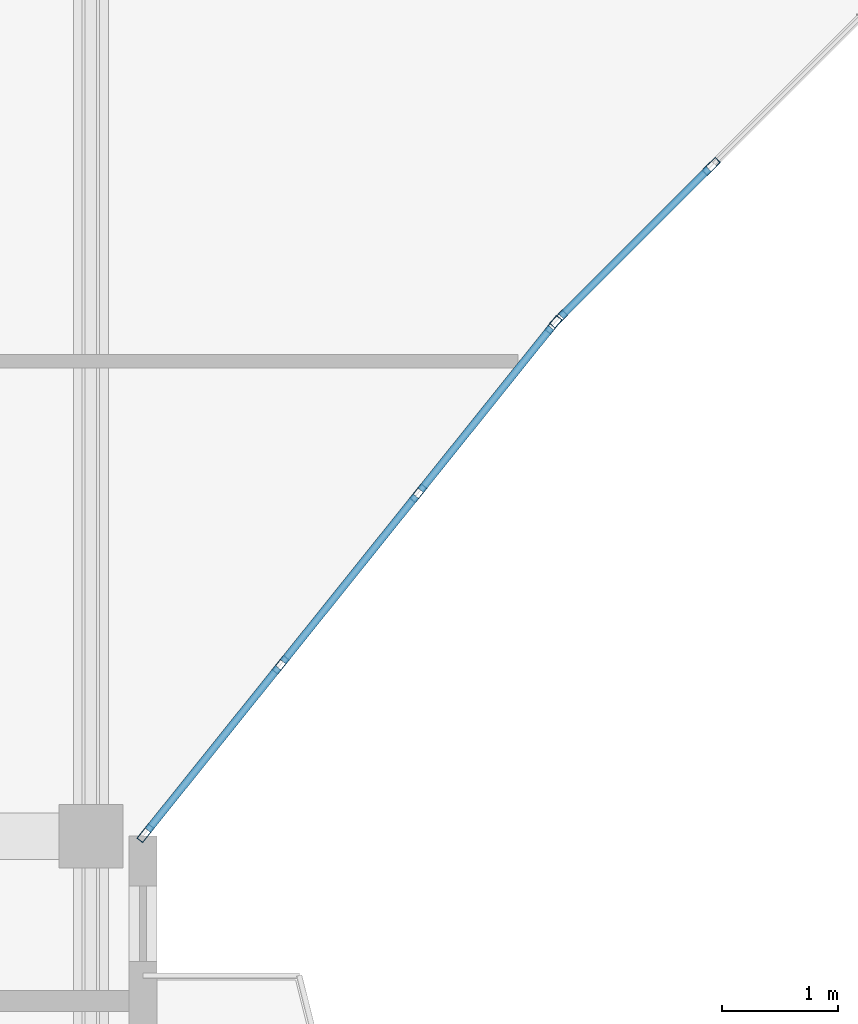
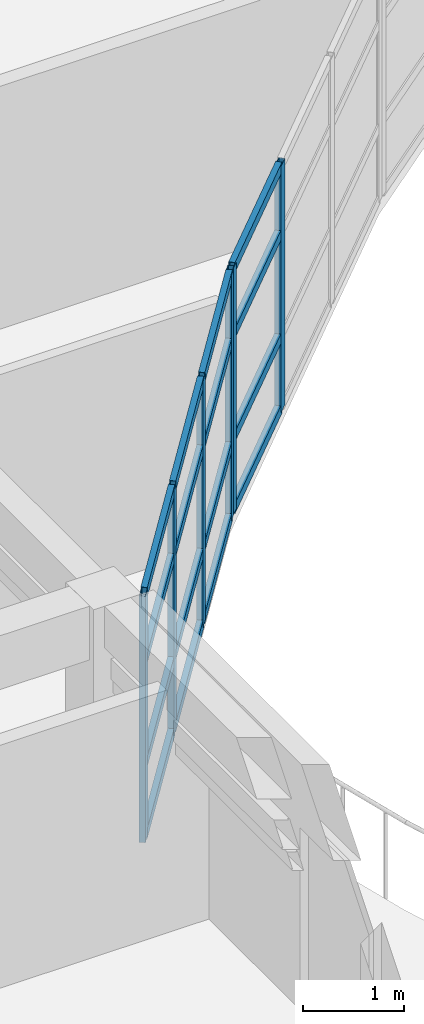
# One storey, part 6 of 54: 22 members, 2 elements without a shape of their own.
"""IFC4 building model written with IfcOpenShell, lengths in metres."""

from ifc_helpers import new_model, si_unit, direction, frame, origin, origin_2d, place, context, subcontext, project, spatial, hollow_rectangle, extrude, material, layer, layer_set, material_profile, profile_set, type_object, element, aggregate, save


model = new_model("IFC4")

# Units and contexts
model_context = context("Model", 3, precision=1e-05, world=origin(), true_north=direction((0.0, 1.0)))
body_context = subcontext(model_context, "Body", "Model", "MODEL_VIEW")
ifc_project = project(units=[si_unit("LENGTHUNIT", "METRE"), si_unit("AREAUNIT", "SQUARE_METRE"), si_unit("VOLUMEUNIT", "CUBIC_METRE"), si_unit("PLANEANGLEUNIT", "RADIAN"), si_unit("MASSUNIT", "GRAM", prefix="KILO")], contexts=[model_context])

# Site, building, storey
site_placement = place(None, origin())
site = spatial("IfcSite", under=ifc_project, at=site_placement, CompositionType="ELEMENT")
building_placement = place(site_placement, origin())
building = spatial("IfcBuilding", under=site, at=building_placement, Name="Keldmere Railside Commons", CompositionType="ELEMENT")
storey_placement = place(building_placement, frame((0.0, 0.0, 26.56005859375)))
storey = spatial("IfcBuildingStorey", under=building, at=storey_placement, Name="L08", CompositionType="ELEMENT", Elevation=26.56005859375)

# Curtain wall, members
ifc_material = material(Name="Thermally Broken Aluminium", Category="aluminium")
ifc_layer_1 = layer(ifc_material, 0.159912109375, Name="Court Chord Wintergarden CW 4800x2850")
ifc_layer_set_1 = layer_set([ifc_layer_1], Name="Thermally Broken Aluminium")
curtain_wall_type_1 = type_object("IfcCurtainWallType", Name="Court Chord Wintergarden CW 4800x2850", PredefinedType="NOTDEFINED", material=ifc_layer_set_1)
curtain_wall_1_placement = place(storey_placement, origin())
curtain_wall_1 = element("IfcCurtainWall", 1, at=curtain_wall_1_placement, inside=storey, type_object=curtain_wall_type_1, Name="CW-12 CW-L08-073", PredefinedType="NOTDEFINED")
ifc_material_profile_1 = material_profile(ifc_material, hollow_rectangle(XDim=0.06494140625, YDim=0.159912109375, WallThickness=0.00390625, at=origin_2d()), Name="ALU-MULL-65x160")
ifc_profile_set_1 = profile_set([ifc_material_profile_1], Name="Thermally Broken Aluminium")
member_type_1 = type_object("IfcMemberType", Name="Unitised Curtain Wall Mullion 65x160", PredefinedType="MULLION", material=ifc_profile_set_1)
member_1_placement = place(storey_placement, frame((67.53369140625, 92.404541015625, 0.0), z_axis=(0.0, 0.0, 1.0), x_axis=(0.780009172323, -0.625768080915, 0.0)))
member_1 = element("IfcMember", 2, at=member_1_placement, type_object=member_type_1, Name="CW-12 mullion 1", PredefinedType="MULLION", context=body_context, shape_type="SweptSolid", body=[
    extrude(hollow_rectangle(XDim=0.06494140625, YDim=0.159912109375, WallThickness=0.00390625, at=origin_2d()), origin(), (0.0, 0.0, 1.0), 2.97998046875),
])
member_2_placement = place(storey_placement, frame((66.369384765625, 90.953369140625, 0.0), z_axis=(0.0, 0.0, 1.0), x_axis=(0.780009172323, -0.625768080915, 0.0)))
member_2 = element("IfcMember", 3, at=member_2_placement, type_object=member_type_1, Name="CW-12 mullion 2", PredefinedType="MULLION", context=body_context, shape_type="SweptSolid", body=[
    extrude(hollow_rectangle(XDim=0.06494140625, YDim=0.159912109375, WallThickness=0.00390625, at=origin_2d()), origin(), (0.0, 0.0, 1.0), 2.97998046875),
])
member_3_placement = place(storey_placement, frame((65.1845703125, 89.4765625, 0.0), z_axis=(0.0, 0.0, 1.0), x_axis=(0.780009172323, -0.625768080915, 0.0)))
member_3 = element("IfcMember", 4, at=member_3_placement, type_object=member_type_1, Name="CW-12 mullion 3", PredefinedType="MULLION", context=body_context, shape_type="SweptSolid", body=[
    extrude(hollow_rectangle(XDim=0.06494140625, YDim=0.159912109375, WallThickness=0.00390625, at=origin_2d()), origin(), (0.0, 0.0, 1.0), 2.97998046875),
])
member_4_placement = place(storey_placement, frame((64.020263671875, 88.025390625, 0.0), z_axis=(0.0, 0.0, 1.0), x_axis=(0.780009172323, -0.625768080915, 0.0)))
member_4 = element("IfcMember", 5, at=member_4_placement, type_object=member_type_1, Name="CW-12 mullion 4", PredefinedType="MULLION", context=body_context, shape_type="SweptSolid", body=[
    extrude(hollow_rectangle(XDim=0.06494140625, YDim=0.159912109375, WallThickness=0.00390625, at=origin_2d()), origin(), (0.0, 0.0, 1.0), 2.97998046875),
])

ifc_layer_2 = layer(ifc_material, 0.159912109375, Name="Court Chord Wintergarden CW 5400x2850")
ifc_layer_set_2 = layer_set([ifc_layer_2], Name="Thermally Broken Aluminium")
curtain_wall_type_2 = type_object("IfcCurtainWallType", Name="Court Chord Wintergarden CW 5400x2850", PredefinedType="NOTDEFINED", material=ifc_layer_set_2)
curtain_wall_2_placement = place(storey_placement, origin())
curtain_wall_2 = element("IfcCurtainWall", 6, at=curtain_wall_2_placement, inside=storey, type_object=curtain_wall_type_2, Name="CW-13 CW-L08-074", PredefinedType="NOTDEFINED")
member_5_placement = place(storey_placement, frame((68.892578125, 93.7685546875, 0.0), z_axis=(0.0, 0.0, 1.0), x_axis=(0.707106781187, -0.707106781187, 0.0)))
member_5 = element("IfcMember", 7, at=member_5_placement, type_object=member_type_1, Name="CW-13 mullion 3", PredefinedType="MULLION", context=body_context, shape_type="SweptSolid", body=[
    extrude(hollow_rectangle(XDim=0.06494140625, YDim=0.159912109375, WallThickness=0.00390625, at=origin_2d()), origin(), (0.0, 0.0, 1.0), 2.97998046875),
])
member_6_placement = place(storey_placement, frame((67.576904296875, 92.452880859375, 0.0), z_axis=(0.0, 0.0, 1.0), x_axis=(0.707106781187, -0.707106781187, 0.0)))
member_6 = element("IfcMember", 8, at=member_6_placement, type_object=member_type_1, Name="CW-13 mullion 4", PredefinedType="MULLION", context=body_context, shape_type="SweptSolid", body=[
    extrude(hollow_rectangle(XDim=0.06494140625, YDim=0.159912109375, WallThickness=0.00390625, at=origin_2d()), origin(), (0.0, 0.0, 1.0), 2.97998046875),
])

# Member
ifc_material_profile_2 = material_profile(ifc_material, hollow_rectangle(XDim=0.06494140625, YDim=0.1201171875, WallThickness=0.00390625, at=origin_2d()), Name="ALU-TRAN-65x120")
ifc_profile_set_2 = profile_set([ifc_material_profile_2], Name="Thermally Broken Aluminium")
member_type_2 = type_object("IfcMemberType", Name="Unitised Curtain Wall Transom 65x120", PredefinedType="USERDEFINED", material=ifc_profile_set_2)
member_7_placement = place(storey_placement, frame((67.513427734375, 92.37939453125, 0.032470703125), z_axis=(-0.625805275091, -0.779979331565, 0.0), x_axis=(0.779979331565, -0.625805275091, 0.0)))
member_7 = element("IfcMember", 9, at=member_7_placement, type_object=member_type_2, Name="CW-12 transom 1.1", ObjectType="TRANSOM", PredefinedType="USERDEFINED", context=body_context, shape_type="SweptSolid", body=[
    extrude(hollow_rectangle(XDim=0.06494140625, YDim=0.1201171875, WallThickness=0.00390625, at=origin_2d()), origin(), (0.0, 0.0, 1.0), 1.795654296875),
])

member_8_placement = place(storey_placement, frame((67.513427734375, 92.37939453125, 0.89990234375), z_axis=(-0.625805275091, -0.779979331565, 0.0), x_axis=(0.779979331565, -0.625805275091, 0.0)))
member_8 = element("IfcMember", 10, at=member_8_placement, type_object=member_type_2, Name="CW-12 transom 1.2", ObjectType="TRANSOM", PredefinedType="USERDEFINED", context=body_context, shape_type="SweptSolid", body=[
    extrude(hollow_rectangle(XDim=0.06494140625, YDim=0.1201171875, WallThickness=0.00390625, at=origin_2d()), origin(), (0.0, 0.0, 1.0), 1.795654296875),
])

member_9_placement = place(storey_placement, frame((67.513427734375, 92.37939453125, 2.14990234375), z_axis=(-0.625805275091, -0.779979331565, 0.0), x_axis=(0.779979331565, -0.625805275091, 0.0)))
member_9 = element("IfcMember", 11, at=member_9_placement, type_object=member_type_2, Name="CW-12 transom 1.3", ObjectType="TRANSOM", PredefinedType="USERDEFINED", context=body_context, shape_type="SweptSolid", body=[
    extrude(hollow_rectangle(XDim=0.06494140625, YDim=0.1201171875, WallThickness=0.00390625, at=origin_2d()), origin(), (0.0, 0.0, 1.0), 1.795654296875),
])

member_10_placement = place(storey_placement, frame((67.513427734375, 92.37939453125, 2.947509765625), z_axis=(-0.625805275091, -0.779979331565, 0.0), x_axis=(0.779979331565, -0.625805275091, 0.0)))
member_10 = element("IfcMember", 12, at=member_10_placement, type_object=member_type_2, Name="CW-12 transom 1.4", ObjectType="TRANSOM", PredefinedType="USERDEFINED", context=body_context, shape_type="SweptSolid", body=[
    extrude(hollow_rectangle(XDim=0.06494140625, YDim=0.1201171875, WallThickness=0.00390625, at=origin_2d()), origin(), (0.0, 0.0, 1.0), 1.795654296875),
])

member_11_placement = place(storey_placement, frame((66.348876953125, 90.927978515625, 0.032470703125), z_axis=(-0.625688033635, -0.78007338409, 0.0), x_axis=(0.78007338409, -0.625688033635, 0.0)))
member_11 = element("IfcMember", 13, at=member_11_placement, type_object=member_type_2, Name="CW-12 transom 2.1", ObjectType="TRANSOM", PredefinedType="USERDEFINED", context=body_context, shape_type="SweptSolid", body=[
    extrude(hollow_rectangle(XDim=0.06494140625, YDim=0.1201171875, WallThickness=0.00390625, at=origin_2d()), origin(), (0.0, 0.0, 1.0), 1.828125),
])

member_12_placement = place(storey_placement, frame((66.348876953125, 90.927978515625, 0.89990234375), z_axis=(-0.625688033635, -0.78007338409, 0.0), x_axis=(0.78007338409, -0.625688033635, 0.0)))
member_12 = element("IfcMember", 14, at=member_12_placement, type_object=member_type_2, Name="CW-12 transom 2.2", ObjectType="TRANSOM", PredefinedType="USERDEFINED", context=body_context, shape_type="SweptSolid", body=[
    extrude(hollow_rectangle(XDim=0.06494140625, YDim=0.1201171875, WallThickness=0.00390625, at=origin_2d()), origin(), (0.0, 0.0, 1.0), 1.828125),
])

member_13_placement = place(storey_placement, frame((66.348876953125, 90.927978515625, 2.14990234375), z_axis=(-0.625688033635, -0.78007338409, 0.0), x_axis=(0.78007338409, -0.625688033635, 0.0)))
member_13 = element("IfcMember", 15, at=member_13_placement, type_object=member_type_2, Name="CW-12 transom 2.3", ObjectType="TRANSOM", PredefinedType="USERDEFINED", context=body_context, shape_type="SweptSolid", body=[
    extrude(hollow_rectangle(XDim=0.06494140625, YDim=0.1201171875, WallThickness=0.00390625, at=origin_2d()), origin(), (0.0, 0.0, 1.0), 1.828125),
])

member_14_placement = place(storey_placement, frame((66.348876953125, 90.927978515625, 2.947509765625), z_axis=(-0.625688033635, -0.78007338409, 0.0), x_axis=(0.78007338409, -0.625688033635, 0.0)))
member_14 = element("IfcMember", 16, at=member_14_placement, type_object=member_type_2, Name="CW-12 transom 2.4", ObjectType="TRANSOM", PredefinedType="USERDEFINED", context=body_context, shape_type="SweptSolid", body=[
    extrude(hollow_rectangle(XDim=0.06494140625, YDim=0.1201171875, WallThickness=0.00390625, at=origin_2d()), origin(), (0.0, 0.0, 1.0), 1.828125),
])

member_15_placement = place(storey_placement, frame((65.164306640625, 89.451416015625, 0.032470703125), z_axis=(-0.625722553313, -0.780045694992, 0.0), x_axis=(0.780045694992, -0.625722553313, 0.0)))
member_15 = element("IfcMember", 17, at=member_15_placement, type_object=member_type_2, Name="CW-12 transom 3.1", ObjectType="TRANSOM", PredefinedType="USERDEFINED", context=body_context, shape_type="SweptSolid", body=[
    extrude(hollow_rectangle(XDim=0.06494140625, YDim=0.1201171875, WallThickness=0.00390625, at=origin_2d()), origin(), (0.0, 0.0, 1.0), 1.795654296875),
])

member_16_placement = place(storey_placement, frame((65.164306640625, 89.451416015625, 0.89990234375), z_axis=(-0.625722553313, -0.780045694992, 0.0), x_axis=(0.780045694992, -0.625722553313, 0.0)))
member_16 = element("IfcMember", 18, at=member_16_placement, type_object=member_type_2, Name="CW-12 transom 3.2", ObjectType="TRANSOM", PredefinedType="USERDEFINED", context=body_context, shape_type="SweptSolid", body=[
    extrude(hollow_rectangle(XDim=0.06494140625, YDim=0.1201171875, WallThickness=0.00390625, at=origin_2d()), origin(), (0.0, 0.0, 1.0), 1.795654296875),
])

member_17_placement = place(storey_placement, frame((65.164306640625, 89.451416015625, 2.14990234375), z_axis=(-0.625722553313, -0.780045694992, 0.0), x_axis=(0.780045694992, -0.625722553313, 0.0)))
member_17 = element("IfcMember", 19, at=member_17_placement, type_object=member_type_2, Name="CW-12 transom 3.3", ObjectType="TRANSOM", PredefinedType="USERDEFINED", context=body_context, shape_type="SweptSolid", body=[
    extrude(hollow_rectangle(XDim=0.06494140625, YDim=0.1201171875, WallThickness=0.00390625, at=origin_2d()), origin(), (0.0, 0.0, 1.0), 1.795654296875),
])

member_18_placement = place(storey_placement, frame((65.164306640625, 89.451416015625, 2.947509765625), z_axis=(-0.625722553313, -0.780045694992, 0.0), x_axis=(0.780045694992, -0.625722553313, 0.0)))
member_18 = element("IfcMember", 20, at=member_18_placement, type_object=member_type_2, Name="CW-12 transom 3.4", ObjectType="TRANSOM", PredefinedType="USERDEFINED", context=body_context, shape_type="SweptSolid", body=[
    extrude(hollow_rectangle(XDim=0.06494140625, YDim=0.1201171875, WallThickness=0.00390625, at=origin_2d()), origin(), (0.0, 0.0, 1.0), 1.795654296875),
])

aggregate(curtain_wall_1, [member_1, member_2, member_3, member_4, member_7, member_8, member_9, member_10, member_11, member_12, member_13, member_14, member_15, member_16, member_17, member_18])

member_19_placement = place(storey_placement, frame((68.86962890625, 93.74560546875, 0.032470703125), z_axis=(-0.707174762418, -0.707038793419, 0.0), x_axis=(0.707038793419, -0.707174762418, 0.0)))
member_19 = element("IfcMember", 21, at=member_19_placement, type_object=member_type_2, Name="CW-13 transom 3.1", ObjectType="TRANSOM", PredefinedType="USERDEFINED", context=body_context, shape_type="SweptSolid", body=[
    extrude(hollow_rectangle(XDim=0.06494140625, YDim=0.1201171875, WallThickness=0.00390625, at=origin_2d()), origin(), (0.0, 0.0, 1.0), 1.795654296875),
])

member_20_placement = place(storey_placement, frame((68.86962890625, 93.74560546875, 0.89990234375), z_axis=(-0.707174762418, -0.707038793419, 0.0), x_axis=(0.707038793419, -0.707174762418, 0.0)))
member_20 = element("IfcMember", 22, at=member_20_placement, type_object=member_type_2, Name="CW-13 transom 3.2", ObjectType="TRANSOM", PredefinedType="USERDEFINED", context=body_context, shape_type="SweptSolid", body=[
    extrude(hollow_rectangle(XDim=0.06494140625, YDim=0.1201171875, WallThickness=0.00390625, at=origin_2d()), origin(), (0.0, 0.0, 1.0), 1.795654296875),
])

member_21_placement = place(storey_placement, frame((68.86962890625, 93.74560546875, 2.14990234375), z_axis=(-0.707174762418, -0.707038793419, 0.0), x_axis=(0.707038793419, -0.707174762418, 0.0)))
member_21 = element("IfcMember", 23, at=member_21_placement, type_object=member_type_2, Name="CW-13 transom 3.3", ObjectType="TRANSOM", PredefinedType="USERDEFINED", context=body_context, shape_type="SweptSolid", body=[
    extrude(hollow_rectangle(XDim=0.06494140625, YDim=0.1201171875, WallThickness=0.00390625, at=origin_2d()), origin(), (0.0, 0.0, 1.0), 1.795654296875),
])

member_22_placement = place(storey_placement, frame((68.86962890625, 93.74560546875, 2.947509765625), z_axis=(-0.707174762418, -0.707038793419, 0.0), x_axis=(0.707038793419, -0.707174762418, 0.0)))
member_22 = element("IfcMember", 24, at=member_22_placement, type_object=member_type_2, Name="CW-13 transom 3.4", ObjectType="TRANSOM", PredefinedType="USERDEFINED", context=body_context, shape_type="SweptSolid", body=[
    extrude(hollow_rectangle(XDim=0.06494140625, YDim=0.1201171875, WallThickness=0.00390625, at=origin_2d()), origin(), (0.0, 0.0, 1.0), 1.795654296875),
])

aggregate(curtain_wall_2, [member_5, member_6, member_19, member_20, member_21, member_22])

save(model, "model.ifc")
